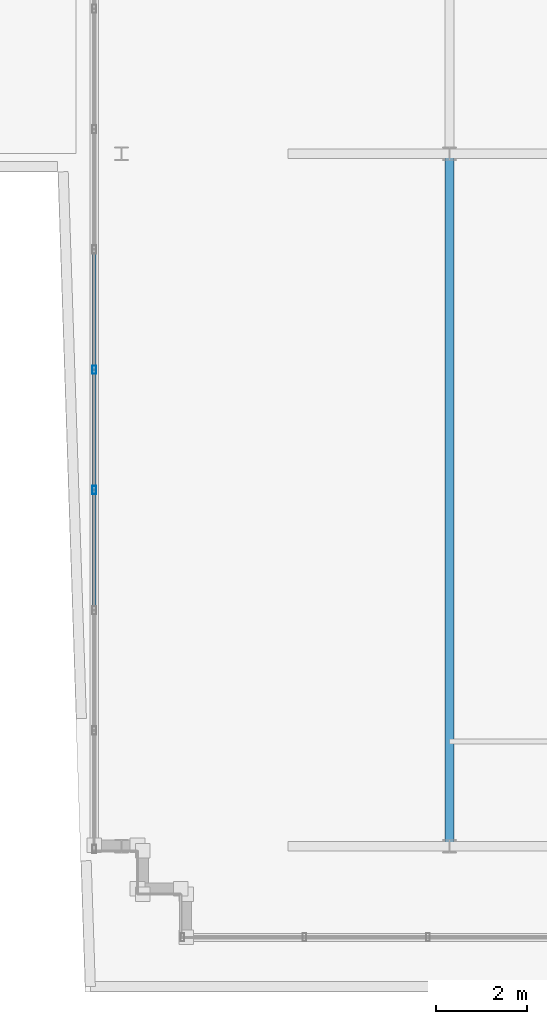
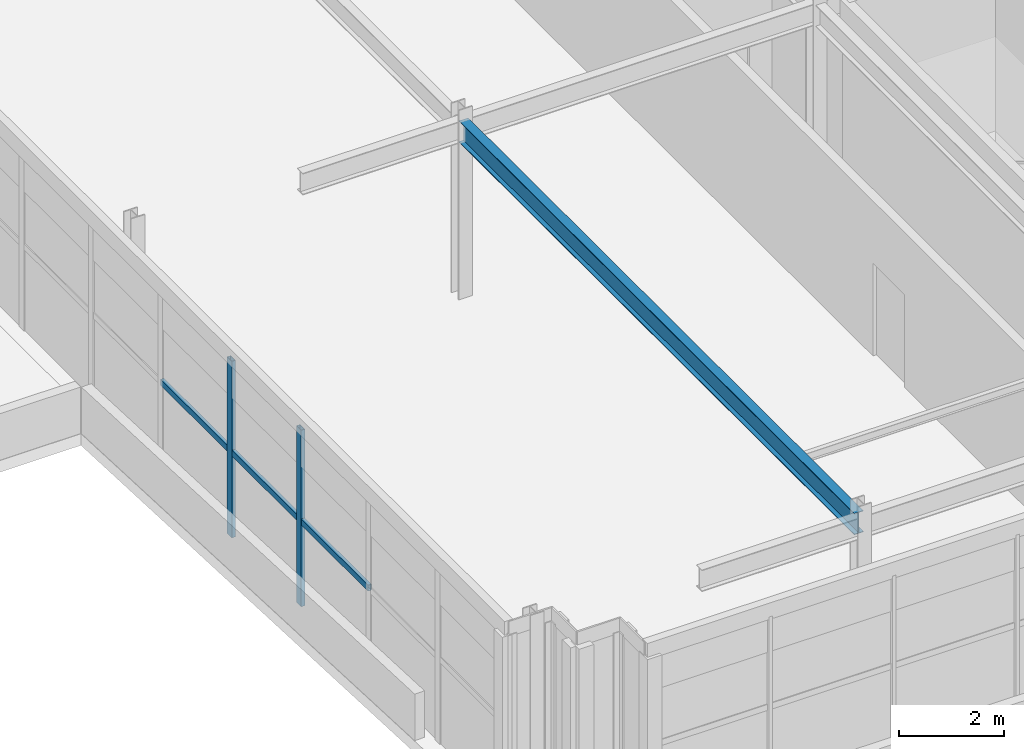
# One storey, part 15 of 31: 5 members, 1 beam, 1 element without a shape of its own.
"""IFC4 building model written with IfcOpenShell, lengths in metres."""

from ifc_helpers import new_model, si_unit, direction, frame, origin, origin_2d, place, context, subcontext, project, spatial, hollow_rectangle, i_section, extrude, source, transform, mapped, material, material_profile, profile_set, type_object, element, aggregate, save


model = new_model("IFC4")

# Units and contexts
model_context = context("Model", 3, precision=1e-05, world=origin(), true_north=direction((0.0, 1.0)))
body_context = subcontext(model_context, "Body", "Model", "MODEL_VIEW")
ifc_project = project(units=[si_unit("LENGTHUNIT", "METRE"), si_unit("AREAUNIT", "SQUARE_METRE"), si_unit("VOLUMEUNIT", "CUBIC_METRE"), si_unit("PLANEANGLEUNIT", "RADIAN"), si_unit("MASSUNIT", "GRAM", prefix="KILO")], contexts=[model_context])

# Site, building, storey
site_placement = place(None, origin())
site = spatial("IfcSite", under=ifc_project, at=site_placement, CompositionType="ELEMENT")
building_placement = place(site_placement, origin())
building = spatial("IfcBuilding", under=site, at=building_placement, Name="Trelvane Seafront Commons", CompositionType="ELEMENT")
storey_placement = place(building_placement, frame((0.0, 0.0, 307.89990234375)))
storey = spatial("IfcBuildingStorey", under=building, at=storey_placement, Name="L80", CompositionType="ELEMENT", Elevation=307.89990234375)

# Beam
ifc_material_1 = material(Name="Steel SM355 (S355)", Category="steel")
ifc_material_profile_1 = material_profile(ifc_material_1, i_section(OverallWidth=0.199951171875, OverallDepth=0.5, WebThickness=0.010009765625, FlangeThickness=0.01611328125, at=origin_2d()), Name="H-500x200x10x16")
ifc_profile_set_1 = profile_set([ifc_material_profile_1], Name="Steel SM355 (S355)")
beam_type = type_object("IfcBeamType", Name="STR-BM-H500", PredefinedType="BEAM", material=ifc_profile_set_1)
shared_shape_1 = source(origin(), body_context, "Body", "SweptSolid", [
    extrude(i_section(OverallWidth=0.199951171875, OverallDepth=0.5, WebThickness=0.010009765625, FlangeThickness=0.01611328125, at=origin_2d()), origin(), (0.0, 0.0, 1.0), 15.050048828125),
])
beam_placement = place(storey_placement, frame((51.0, 18.27490234375, 3.85009765625), z_axis=(0.0, 1.0, 0.0), x_axis=(-1.0, 0.0, 0.0)))
element("IfcBeam", 1, at=beam_placement, inside=storey, type_object=beam_type, Name="L80 Primary Girder G-32", PredefinedType="BEAM", context=body_context, shape_type="MappedRepresentation", body=[
    mapped(shared_shape_1, transform((0.0, 0.0, 0.0), x_axis=(1.0, 0.0, 0.0), y_axis=(0.0, 1.0, 0.0), z_axis=(0.0, 0.0, 1.0), scale=1.0)),
])

# Curtain wall, members
ifc_material_2 = material(Name="Anodised pale-silver aluminium", Category="aluminium")
curtain_wall_type = type_object("IfcCurtainWallType", Name="ARCH-CW6-CROWN", PredefinedType="NOTDEFINED", material=ifc_material_2)
curtain_wall_placement = place(storey_placement, origin())
curtain_wall = element("IfcCurtainWall", 2, at=curtain_wall_placement, inside=storey, type_object=curtain_wall_type, Name="CW-L80-0140", PredefinedType="NOTDEFINED")
ifc_material_profile_2 = material_profile(ifc_material_2, hollow_rectangle(XDim=0.080078125, YDim=0.179931640625, WallThickness=0.00439453125, at=origin_2d()), Name="MULL-80x180x4.5")
ifc_profile_set_2 = profile_set([ifc_material_profile_2], Name="Anodised pale-silver aluminium")
member_type_1 = type_object("IfcMemberType", Name="ARCH-CW-MULL-180", PredefinedType="MULLION", material=ifc_profile_set_2)
shared_shape_2 = source(origin(), body_context, "Body", "SweptSolid", [
    extrude(hollow_rectangle(XDim=0.080078125, YDim=0.179931640625, WallThickness=0.00439453125, at=origin_2d()), origin(), (0.0, 0.0, 1.0), 4.10009765625),
])
member_1_placement = place(storey_placement, frame((43.199951171875, 26.02001953125, 0.0), z_axis=(0.0, 0.0, 1.0), x_axis=(1.0, 0.0, 0.0)))
member_1 = element("IfcMember", 3, at=member_1_placement, type_object=member_type_1, Name="CW-L80-0140-M03", PredefinedType="MULLION", context=body_context, shape_type="MappedRepresentation", body=[
    mapped(shared_shape_2, transform((0.0, 0.0, 0.0), x_axis=(1.0, 0.0, 0.0), y_axis=(0.0, 1.0, 0.0), z_axis=(0.0, 0.0, 1.0), scale=1.0)),
])
member_2_placement = place(storey_placement, frame((43.199951171875, 28.659912109375, 0.0), z_axis=(0.0, 0.0, 1.0), x_axis=(1.0, 0.0, 0.0)))
member_2 = element("IfcMember", 4, at=member_2_placement, type_object=member_type_1, Name="CW-L80-0140-M04", PredefinedType="MULLION", context=body_context, shape_type="MappedRepresentation", body=[
    mapped(shared_shape_2, transform((0.0, 0.0, 0.0), x_axis=(1.0, 0.0, 0.0), y_axis=(0.0, 1.0, 0.0), z_axis=(0.0, 0.0, 1.0), scale=1.0)),
])
ifc_material_profile_3 = material_profile(ifc_material_2, hollow_rectangle(XDim=0.074951171875, YDim=0.139892578125, WallThickness=0.00390625, at=origin_2d()), Name="TRAN-75x140x4")
ifc_profile_set_3 = profile_set([ifc_material_profile_3], Name="Anodised pale-silver aluminium")
member_type_2 = type_object("IfcMemberType", Name="ARCH-CW-TRAN-140", PredefinedType="USERDEFINED", material=ifc_profile_set_3)
shared_shape_3 = source(origin(), body_context, "Body", "SweptSolid", [
    extrude(hollow_rectangle(XDim=0.074951171875, YDim=0.139892578125, WallThickness=0.00390625, at=origin_2d()), origin(), (0.0, 0.0, 1.0), 2.615966796875),
])
member_3_placement = place(storey_placement, frame((43.199951171875, 23.39208984375, 1.968017578125), z_axis=(0.0, 1.0, 0.0), x_axis=(-1.0, 0.0, 0.0)))
member_3 = element("IfcMember", 5, at=member_3_placement, type_object=member_type_2, Name="CW-L80-0140-T02", ObjectType="TRANSOM", PredefinedType="USERDEFINED", context=body_context, shape_type="MappedRepresentation", body=[
    mapped(shared_shape_3, transform((0.0, 0.0, 0.0), x_axis=(1.0, 0.0, 0.0), y_axis=(0.0, 1.0, 0.0), z_axis=(0.0, 0.0, 1.0), scale=1.0)),
])
member_4_placement = place(storey_placement, frame((43.199951171875, 26.031982421875, 1.968017578125), z_axis=(0.0, 1.0, 0.0), x_axis=(-1.0, 0.0, 0.0)))
member_4 = element("IfcMember", 6, at=member_4_placement, type_object=member_type_2, Name="CW-L80-0140-T03", ObjectType="TRANSOM", PredefinedType="USERDEFINED", context=body_context, shape_type="MappedRepresentation", body=[
    mapped(shared_shape_3, transform((0.0, 0.0, 0.0), x_axis=(1.0, 0.0, 0.0), y_axis=(0.0, 1.0, 0.0), z_axis=(0.0, 0.0, 1.0), scale=1.0)),
])
member_5_placement = place(storey_placement, frame((43.199951171875, 28.672119140625, 1.968017578125), z_axis=(0.0, 1.0, 0.0), x_axis=(-1.0, 0.0, 0.0)))
member_5 = element("IfcMember", 7, at=member_5_placement, type_object=member_type_2, Name="CW-L80-0140-T04", ObjectType="TRANSOM", PredefinedType="USERDEFINED", context=body_context, shape_type="MappedRepresentation", body=[
    mapped(shared_shape_3, transform((0.0, 0.0, 0.0), x_axis=(1.0, 0.0, 0.0), y_axis=(0.0, 1.0, 0.0), z_axis=(0.0, 0.0, 1.0), scale=1.0)),
])
aggregate(curtain_wall, [member_1, member_2, member_3, member_4, member_5])

save(model, "model.ifc")
